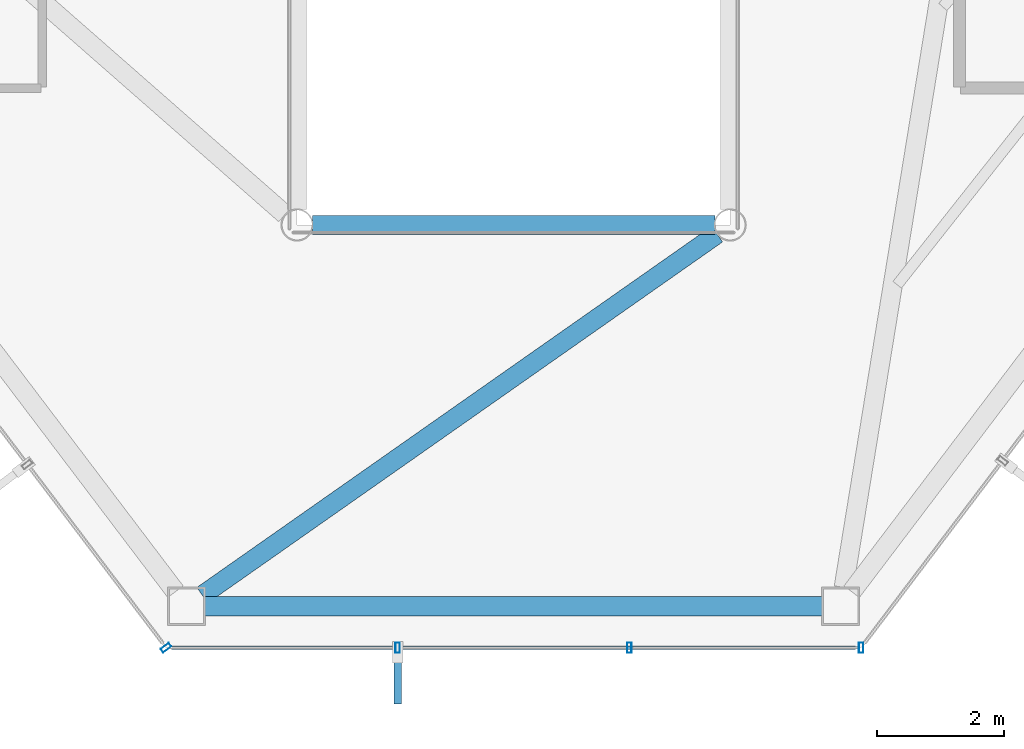
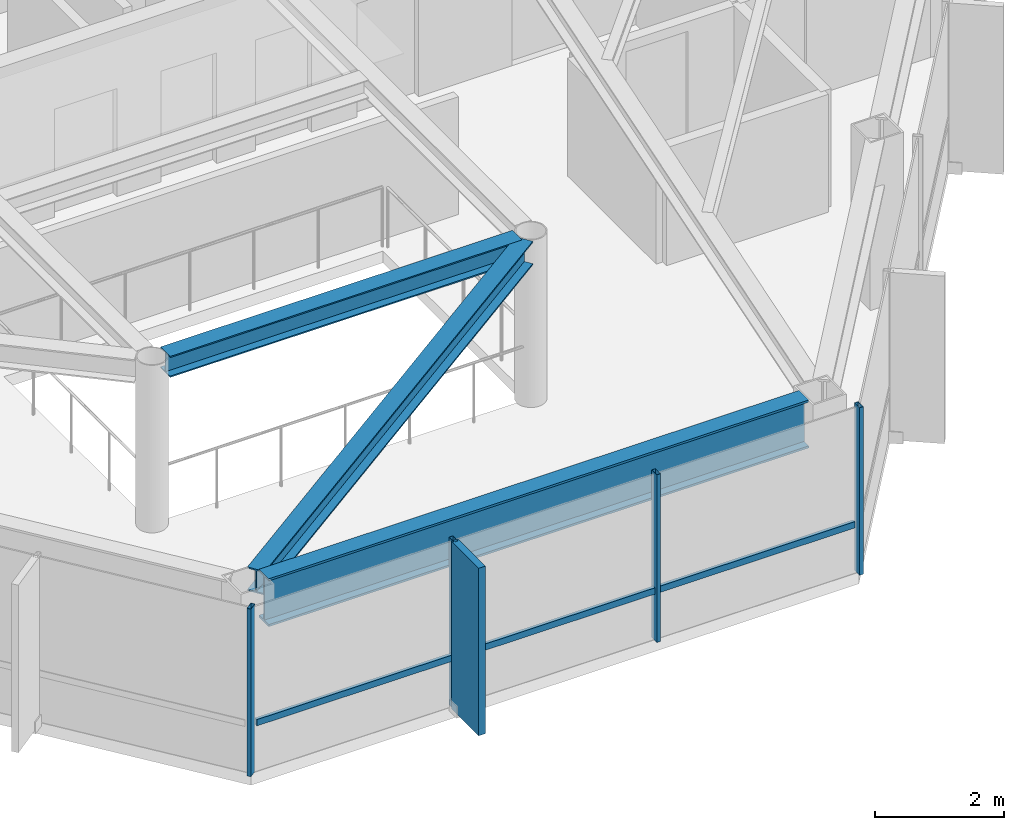
# One storey, part 5 of 25: 6 members, 3 beams, 2 elements without a shape of their own.
"""IFC4 building model written with IfcOpenShell, lengths in metres."""

from ifc_helpers import new_model, si_unit, direction, frame, origin, origin_2d, place, context, subcontext, project, spatial, rectangle, hollow_rectangle, i_section, extrude, material, layer, layer_set, material_profile, profile_set, type_object, element, aggregate, save


model = new_model("IFC4")

# Units and contexts
model_context = context("Model", 3, precision=1e-05, world=origin(), true_north=direction((0.0, 1.0)))
body_context = subcontext(model_context, "Body", "Model", "MODEL_VIEW")
ifc_project = project(units=[si_unit("LENGTHUNIT", "METRE"), si_unit("AREAUNIT", "SQUARE_METRE"), si_unit("VOLUMEUNIT", "CUBIC_METRE"), si_unit("PLANEANGLEUNIT", "RADIAN"), si_unit("MASSUNIT", "GRAM", prefix="KILO")], contexts=[model_context])

# Site, building, storey
site_placement = place(None, origin())
site = spatial("IfcSite", under=ifc_project, at=site_placement, CompositionType="ELEMENT")
building_placement = place(site_placement, origin())
building = spatial("IfcBuilding", under=site, at=building_placement, Name="Zarrinselat Tower", CompositionType="ELEMENT")
storey_placement = place(building_placement, frame((0.0, 0.0, 239.360107421875)))
storey = spatial("IfcBuildingStorey", under=building, at=storey_placement, Name="L60", CompositionType="ELEMENT", Elevation=239.360107421875)

# Beams
ifc_material_1 = material(Name="Steel S355J2", Category="steel")
ifc_material_profile_1 = material_profile(ifc_material_1, i_section(OverallWidth=0.300048828125, OverallDepth=0.39990234375, WebThickness=0.013427734375, FlangeThickness=0.02392578125, at=origin_2d()), Name="HEB 400")
ifc_profile_set_1 = profile_set([ifc_material_profile_1], Name="Steel S355J2")
beam_type_1 = type_object("IfcBeamType", Name="BM-HEB400", PredefinedType="BEAM", material=ifc_profile_set_1)
beam_1_placement = place(storey_placement, frame((35.239990234375, 25.199951171875, 2.97998046875), z_axis=(1.0, 0.0, 0.0), x_axis=(0.0, 1.0, 0.0)))
element("IfcBeam", 1, at=beam_1_placement, inside=storey, type_object=beam_type_1, Name="L60 Atrium Edge Beam S", PredefinedType="BEAM", context=body_context, shape_type="SweptSolid", body=[
    extrude(i_section(OverallWidth=0.300048828125, OverallDepth=0.39990234375, WebThickness=0.013427734375, FlangeThickness=0.02392578125, at=origin_2d()), origin(), (0.0, 0.0, 1.0), 6.320068359375),
])
ifc_material_2 = material(Name="Steel S355J2", Category="steel")
ifc_material_profile_2 = material_profile(ifc_material_2, i_section(OverallWidth=0.300048828125, OverallDepth=0.449951171875, WebThickness=0.013916015625, FlangeThickness=0.02587890625, at=origin_2d()), Name="HEB 450")
ifc_profile_set_2 = profile_set([ifc_material_profile_2], Name="Steel S355J2")
beam_type_2 = type_object("IfcBeamType", Name="BM-HEB450", PredefinedType="BEAM", material=ifc_profile_set_2)
beam_2_placement = place(storey_placement, frame((33.511962890625, 19.385986328125, 2.954833984375), z_axis=(0.818654177418, 0.574286807959, 0.0), x_axis=(-0.574286807959, 0.818654177418, 0.0)))
element("IfcBeam", 2, at=beam_2_placement, inside=storey, type_object=beam_type_2, Name="L60 Radial Primary Girder RG10", PredefinedType="BEAM", context=body_context, shape_type="SweptSolid", body=[
    extrude(i_section(OverallWidth=0.300048828125, OverallDepth=0.449951171875, WebThickness=0.013916015625, FlangeThickness=0.02587890625, at=origin_2d()), origin(), (0.0, 0.0, 1.0), 9.873779296875),
])
ifc_material_3 = material(Name="Steel S460M", Category="steel")
ifc_material_profile_3 = material_profile(ifc_material_3, i_section(OverallWidth=0.302001953125, OverallDepth=0.909912109375, WebThickness=0.02099609375, FlangeThickness=0.0400390625, at=origin_2d()), Name="HEM 900")
ifc_profile_set_3 = profile_set([ifc_material_profile_3], Name="Steel S460M")
beam_type_3 = type_object("IfcBeamType", Name="BM-HEM900", PredefinedType="BEAM", material=ifc_profile_set_3)
beam_3_placement = place(storey_placement, frame((33.552734375, 19.212646484375, 2.724853515625), z_axis=(1.0, 0.0, 0.0), x_axis=(0.0, 1.0, 0.0)))
element("IfcBeam", 3, at=beam_3_placement, inside=storey, type_object=beam_type_3, Name="L60 Perimeter Spandrel Girder SP10", PredefinedType="BEAM", context=body_context, shape_type="SweptSolid", body=[
    extrude(i_section(OverallWidth=0.302001953125, OverallDepth=0.909912109375, WebThickness=0.02099609375, FlangeThickness=0.0400390625, at=origin_2d()), origin(), (0.0, 0.0, 1.0), 9.694580078125),
])

# Curtain wall, member
ifc_material_4 = material(Name="Extruded Aluminium Alloy EN AW-6063 T6", Category="aluminium")
ifc_layer = layer(ifc_material_4, 0.169921875)
ifc_layer_set = layer_set([ifc_layer], Name="Extruded Aluminium Alloy EN AW-6063 T6")
curtain_wall_type = type_object("IfcCurtainWallType", Name="CWS-RES", PredefinedType="NOTDEFINED", material=ifc_layer_set)
curtain_wall_1_placement = place(storey_placement, origin())
curtain_wall_1 = element("IfcCurtainWall", 4, at=curtain_wall_1_placement, inside=storey, type_object=curtain_wall_type, Name="L60 Unitised Curtain Wall CW-L60-E03", PredefinedType="NOTDEFINED")
ifc_material_5 = material(Name="Extruded Aluminium Alloy EN AW-6063 T6", Category="aluminium")
ifc_material_profile_4 = material_profile(ifc_material_5, hollow_rectangle(XDim=0.070068359375, YDim=0.159912109375, WallThickness=0.00390625, at=origin_2d()), Name="RHS 160x70x4")
ifc_profile_set_4 = profile_set([ifc_material_profile_4], Name="Extruded Aluminium Alloy EN AW-6063 T6")
member_type_1 = type_object("IfcMemberType", Name="MEM-CW-MUL2", PredefinedType="MULLION", material=ifc_profile_set_4)
member_1_placement = place(storey_placement, frame((32.94189453125, 18.562744140625, 0.0), z_axis=(0.0, 0.0, 1.0), x_axis=(0.603857888062, -0.797091996588, 0.0)))
member_1 = element("IfcMember", 5, at=member_1_placement, type_object=member_type_1, Name="CW-L60-E03 Mullion 8", PredefinedType="MULLION", context=body_context, shape_type="SweptSolid", body=[
    extrude(hollow_rectangle(XDim=0.070068359375, YDim=0.159912109375, WallThickness=0.00390625, at=origin_2d()), origin(), (0.0, 0.0, 1.0), 3.179931640625),
])
aggregate(curtain_wall_1, [member_1])

# Curtain wall, members
curtain_wall_2_placement = place(storey_placement, origin())
curtain_wall_2 = element("IfcCurtainWall", 6, at=curtain_wall_2_placement, inside=storey, type_object=curtain_wall_type, Name="L60 Unitised Curtain Wall CW-L60-E04", PredefinedType="NOTDEFINED")
member_2_placement = place(storey_placement, frame((36.58056640625, 18.562744140625, 0.0), z_axis=(0.0, 0.0, 1.0), x_axis=(1.0, 0.0, 0.0)))
member_2 = element("IfcMember", 7, at=member_2_placement, type_object=member_type_1, Name="CW-L60-E04 Mullion 1", PredefinedType="MULLION", context=body_context, shape_type="SweptSolid", body=[
    extrude(hollow_rectangle(XDim=0.070068359375, YDim=0.159912109375, WallThickness=0.00390625, at=origin_2d()), origin(), (0.0, 0.0, 1.0), 3.179931640625),
])
member_3_placement = place(storey_placement, frame((40.219482421875, 18.562744140625, 0.0), z_axis=(0.0, 0.0, 1.0), x_axis=(1.0, 0.0, 0.0)))
member_3 = element("IfcMember", 8, at=member_3_placement, type_object=member_type_1, Name="CW-L60-E04 Mullion 2", PredefinedType="MULLION", context=body_context, shape_type="SweptSolid", body=[
    extrude(hollow_rectangle(XDim=0.070068359375, YDim=0.159912109375, WallThickness=0.00390625, at=origin_2d()), origin(), (0.0, 0.0, 1.0), 3.179931640625),
])
member_4_placement = place(storey_placement, frame((43.858154296875, 18.562744140625, 0.0), z_axis=(0.0, 0.0, 1.0), x_axis=(1.0, 0.0, 0.0)))
member_4 = element("IfcMember", 9, at=member_4_placement, type_object=member_type_1, Name="CW-L60-E04 Mullion 3", PredefinedType="MULLION", context=body_context, shape_type="SweptSolid", body=[
    extrude(hollow_rectangle(XDim=0.070068359375, YDim=0.159912109375, WallThickness=0.00390625, at=origin_2d()), origin(), (0.0, 0.0, 1.0), 3.179931640625),
])
ifc_material_6 = material(Name="Extruded Aluminium Alloy EN AW-6063 T6", Category="aluminium")
ifc_material_profile_5 = material_profile(ifc_material_6, hollow_rectangle(XDim=0.06005859375, YDim=0.1201171875, WallThickness=0.00390625, at=origin_2d()), Name="RHS 120x60x4")
ifc_profile_set_5 = profile_set([ifc_material_profile_5], Name="Extruded Aluminium Alloy EN AW-6063 T6")
member_type_2 = type_object("IfcMemberType", Name="MEM-CW-TRN2", PredefinedType="USERDEFINED", material=ifc_profile_set_5)
member_5_placement = place(storey_placement, frame((33.03173828125, 18.562744140625, 0.949951171875), z_axis=(1.0, 0.0, 0.0), x_axis=(0.0, 1.0, 0.0)))
member_5 = element("IfcMember", 10, at=member_5_placement, type_object=member_type_2, Name="CW-L60-E04 Transom 1", ObjectType="TRANSOM", PredefinedType="USERDEFINED", context=body_context, shape_type="SweptSolid", body=[
    extrude(hollow_rectangle(XDim=0.06005859375, YDim=0.1201171875, WallThickness=0.00390625, at=origin_2d()), origin(), (0.0, 0.0, 1.0), 10.736572265625),
])
ifc_material_7 = material(Name="Honed Cream Travertine Stone", Category="masonry")
ifc_material_profile_6 = material_profile(ifc_material_7, rectangle(XDim=0.1201171875, YDim=0.85009765625, at=origin_2d()), Name="FIN 850x120")
ifc_profile_set_6 = profile_set([ifc_material_profile_6], Name="Honed Cream Travertine Stone")
member_type_3 = type_object("IfcMemberType", Name="MEM-STONE-FIN", PredefinedType="USERDEFINED", material=ifc_profile_set_6)
member_6_placement = place(storey_placement, frame((36.58056640625, 18.102783203125, 0.0), z_axis=(0.0, 0.0, 1.0), x_axis=(-1.0, 0.0, 0.0)))
member_6 = element("IfcMember", 11, at=member_6_placement, type_object=member_type_3, Name="L60 Stone Shading Fin CW-L60-E04-01", ObjectType="FIN", PredefinedType="USERDEFINED", context=body_context, shape_type="SweptSolid", body=[
    extrude(rectangle(XDim=0.1201171875, YDim=0.85009765625, at=origin_2d()), origin(), (0.0, 0.0, 1.0), 3.179931640625),
])
aggregate(curtain_wall_2, [member_2, member_6, member_3, member_4, member_5])

save(model, "model.ifc")
